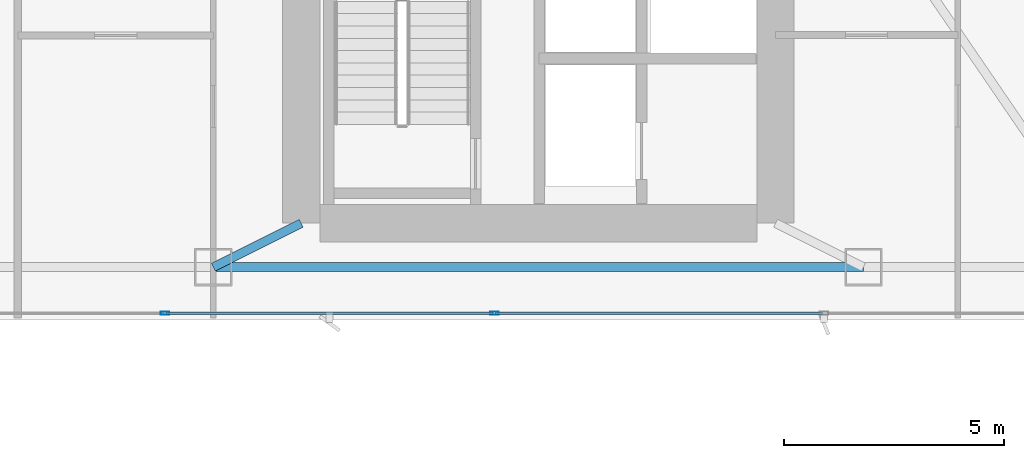
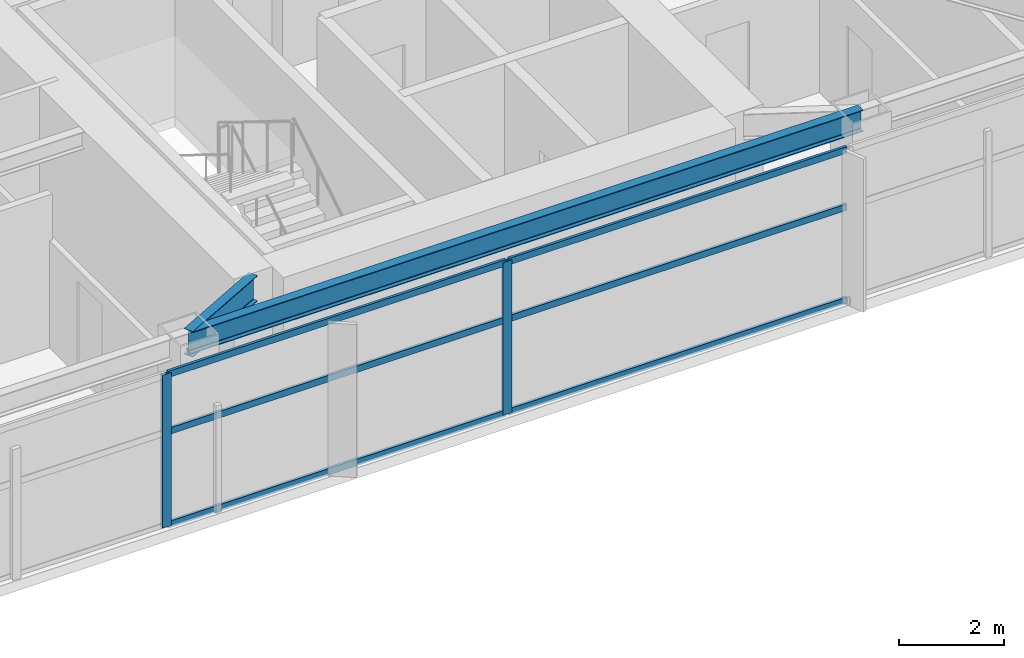
# One storey, part 6 of 29: 8 members, 2 beams, 1 element without a shape of its own.
"""IFC4 building model written with IfcOpenShell, lengths in metres."""

from ifc_helpers import new_model, si_unit, direction, frame, origin, origin_2d, place, context, subcontext, project, spatial, hollow_rectangle, i_section, extrude, material, layer, layer_set, material_profile, profile_set, type_object, element, aggregate, save


model = new_model("IFC4")

# Units and contexts
model_context = context("Model", 3, precision=1e-05, world=origin(), true_north=direction((0.0, 1.0)))
body_context = subcontext(model_context, "Body", "Model", "MODEL_VIEW")
ifc_project = project(units=[si_unit("LENGTHUNIT", "METRE"), si_unit("AREAUNIT", "SQUARE_METRE"), si_unit("VOLUMEUNIT", "CUBIC_METRE"), si_unit("PLANEANGLEUNIT", "RADIAN"), si_unit("MASSUNIT", "GRAM", prefix="KILO")], contexts=[model_context])

# Site, building, storey
site_placement = place(None, origin())
site = spatial("IfcSite", under=ifc_project, at=site_placement, CompositionType="ELEMENT")
building_placement = place(site_placement, origin())
building = spatial("IfcBuilding", under=site, at=building_placement, Name="Calvorn Quay Hotel", CompositionType="ELEMENT")
storey_placement = place(building_placement, frame((0.0, 0.0, 175.10009765625)))
storey = spatial("IfcBuildingStorey", under=building, at=storey_placement, Name="L43", CompositionType="ELEMENT", Elevation=175.10009765625)

# Beams
ifc_material_1 = material(Name="Steel Q355B", Category="steel")
ifc_material_profile_1 = material_profile(ifc_material_1, i_section(OverallWidth=0.199951171875, OverallDepth=0.60009765625, WebThickness=0.010986328125, FlangeThickness=0.01708984375, FilletRadius=0.01806640625, at=origin_2d()), Name="HN600x200x11x17")
ifc_profile_set_1 = profile_set([ifc_material_profile_1], Name="Steel Q355B")
beam_type_1 = type_object("IfcBeamType", Name="BM-GIRD-TYP", PredefinedType="BEAM", material=ifc_profile_set_1)
beam_1_placement = place(storey_placement, frame((19.60009765625, 3.60009765625, 3.239990234375), z_axis=(0.894427191, 0.4472135955, 0.0), x_axis=(-0.4472135955, 0.894427191, 0.0)))
element("IfcBeam", 1, at=beam_1_placement, inside=storey, type_object=beam_type_1, Name="Beam BG-L43-S2", PredefinedType="BEAM", context=body_context, shape_type="SweptSolid", body=[
    extrude(i_section(OverallWidth=0.199951171875, OverallDepth=0.60009765625, WebThickness=0.010986328125, FlangeThickness=0.01708984375, FilletRadius=0.01806640625, at=origin_2d()), origin(), (0.0, 0.0, 1.0), 2.236083984375),
])
ifc_material_2 = material(Name="Steel Q355B", Category="steel")
ifc_material_profile_2 = material_profile(ifc_material_2, i_section(OverallWidth=0.199951171875, OverallDepth=0.5, WebThickness=0.010009765625, FlangeThickness=0.01611328125, FilletRadius=0.01611328125, at=origin_2d()), Name="HN500x200x10x16")
ifc_profile_set_2 = profile_set([ifc_material_profile_2], Name="Steel Q355B")
beam_type_2 = type_object("IfcBeamType", Name="BM-SPANDREL-Z1", PredefinedType="SPANDREL", material=ifc_profile_set_2)
beam_2_placement = place(storey_placement, frame((19.60009765625, 3.60009765625, 3.289794921875), z_axis=(1.0, 0.0, 0.0), x_axis=(0.0, 1.0, 0.0)))
element("IfcBeam", 2, at=beam_2_placement, inside=storey, type_object=beam_type_2, Name="Beam BSP-L43-S3", PredefinedType="SPANDREL", context=body_context, shape_type="SweptSolid", body=[
    extrude(i_section(OverallWidth=0.199951171875, OverallDepth=0.5, WebThickness=0.010009765625, FlangeThickness=0.01611328125, FilletRadius=0.01611328125, at=origin_2d()), origin(), (0.0, 0.0, 1.0), 14.7998046875),
])

# Curtain wall, members
ifc_material_3 = material(Name="Pale Anodised Aluminium and Low-E Glass", Category="aluminium")
ifc_layer = layer(ifc_material_3, 0.219970703125)
ifc_layer_set = layer_set([ifc_layer], Name="CW-SYS-Z2")
curtain_wall_type = type_object("IfcCurtainWallType", Name="CW-SYS-Z2", PredefinedType="NOTDEFINED", material=ifc_layer_set)
curtain_wall_placement = place(storey_placement, origin())
curtain_wall = element("IfcCurtainWall", 3, at=curtain_wall_placement, inside=storey, type_object=curtain_wall_type, Name="Tower South Waterfront Curtain Wall (L43)", PredefinedType="NOTDEFINED")
ifc_material_4 = material(Name="Pale Anodised Aluminium 6063-T6", Category="aluminium")
ifc_material_profile_3 = material_profile(ifc_material_4, hollow_rectangle(XDim=0.070068359375, YDim=0.199951171875, WallThickness=0.00390625, at=origin_2d()), Name="ALU-M200x70x4")
ifc_profile_set_3 = profile_set([ifc_material_profile_3], Name="Pale Anodised Aluminium 6063-T6")
member_type_1 = type_object("IfcMemberType", Name="CW-SYS-Z2-MUL", PredefinedType="MULLION", material=ifc_profile_set_3)
member_1_placement = place(storey_placement, frame((18.5, 2.550048828125, 0.0), z_axis=(0.0, 0.0, 1.0), x_axis=(0.0, 1.0, 0.0)))
member_1 = element("IfcMember", 4, at=member_1_placement, type_object=member_type_1, Name="CW-L43-S mullion 2", PredefinedType="MULLION", context=body_context, shape_type="SweptSolid", body=[
    extrude(hollow_rectangle(XDim=0.070068359375, YDim=0.199951171875, WallThickness=0.00390625, at=origin_2d()), origin(), (0.0, 0.0, 1.0), 3.559814453125),
])
member_2_placement = place(storey_placement, frame((26.0, 2.550048828125, 0.0), z_axis=(0.0, 0.0, 1.0), x_axis=(0.0, 1.0, 0.0)))
member_2 = element("IfcMember", 5, at=member_2_placement, type_object=member_type_1, Name="CW-L43-S mullion 3", PredefinedType="MULLION", context=body_context, shape_type="SweptSolid", body=[
    extrude(hollow_rectangle(XDim=0.070068359375, YDim=0.199951171875, WallThickness=0.00390625, at=origin_2d()), origin(), (0.0, 0.0, 1.0), 3.559814453125),
])
ifc_material_5 = material(Name="Pale Anodised Aluminium 6063-T6", Category="aluminium")
ifc_material_profile_4 = material_profile(ifc_material_5, hollow_rectangle(XDim=0.06005859375, YDim=0.14990234375, WallThickness=0.00341796875, at=origin_2d()), Name="ALU-T150x60x3.5")
ifc_profile_set_4 = profile_set([ifc_material_profile_4], Name="Pale Anodised Aluminium 6063-T6")
member_type_2 = type_object("IfcMemberType", Name="CW-SYS-Z2-TRN", PredefinedType="USERDEFINED", material=ifc_profile_set_4)
member_3_placement = place(storey_placement, frame((18.530029296875, 2.550048828125, 0.02978515625), z_axis=(1.0, 0.0, 0.0), x_axis=(0.0, 1.0, 0.0)))
member_3 = element("IfcMember", 6, at=member_3_placement, type_object=member_type_2, Name="CW-L43-S transom 2.1", ObjectType="TRANSOM", PredefinedType="USERDEFINED", context=body_context, shape_type="SweptSolid", body=[
    extrude(hollow_rectangle(XDim=0.06005859375, YDim=0.14990234375, WallThickness=0.00341796875, at=origin_2d()), origin(), (0.0, 0.0, 1.0), 7.43994140625),
])
member_4_placement = place(storey_placement, frame((18.530029296875, 2.550048828125, 2.199951171875), z_axis=(1.0, 0.0, 0.0), x_axis=(0.0, 1.0, 0.0)))
member_4 = element("IfcMember", 7, at=member_4_placement, type_object=member_type_2, Name="CW-L43-S transom 2.2", ObjectType="TRANSOM", PredefinedType="USERDEFINED", context=body_context, shape_type="SweptSolid", body=[
    extrude(hollow_rectangle(XDim=0.06005859375, YDim=0.14990234375, WallThickness=0.00341796875, at=origin_2d()), origin(), (0.0, 0.0, 1.0), 7.43994140625),
])
member_5_placement = place(storey_placement, frame((18.530029296875, 2.550048828125, 3.52978515625), z_axis=(1.0, 0.0, 0.0), x_axis=(0.0, 1.0, 0.0)))
member_5 = element("IfcMember", 8, at=member_5_placement, type_object=member_type_2, Name="CW-L43-S transom 2.3", ObjectType="TRANSOM", PredefinedType="USERDEFINED", context=body_context, shape_type="SweptSolid", body=[
    extrude(hollow_rectangle(XDim=0.06005859375, YDim=0.14990234375, WallThickness=0.00341796875, at=origin_2d()), origin(), (0.0, 0.0, 1.0), 7.43994140625),
])
member_6_placement = place(storey_placement, frame((26.030029296875, 2.550048828125, 0.02978515625), z_axis=(1.0, 0.0, 0.0), x_axis=(0.0, 1.0, 0.0)))
member_6 = element("IfcMember", 9, at=member_6_placement, type_object=member_type_2, Name="CW-L43-S transom 3.1", ObjectType="TRANSOM", PredefinedType="USERDEFINED", context=body_context, shape_type="SweptSolid", body=[
    extrude(hollow_rectangle(XDim=0.06005859375, YDim=0.14990234375, WallThickness=0.00341796875, at=origin_2d()), origin(), (0.0, 0.0, 1.0), 7.43994140625),
])
member_7_placement = place(storey_placement, frame((26.030029296875, 2.550048828125, 2.199951171875), z_axis=(1.0, 0.0, 0.0), x_axis=(0.0, 1.0, 0.0)))
member_7 = element("IfcMember", 10, at=member_7_placement, type_object=member_type_2, Name="CW-L43-S transom 3.2", ObjectType="TRANSOM", PredefinedType="USERDEFINED", context=body_context, shape_type="SweptSolid", body=[
    extrude(hollow_rectangle(XDim=0.06005859375, YDim=0.14990234375, WallThickness=0.00341796875, at=origin_2d()), origin(), (0.0, 0.0, 1.0), 7.43994140625),
])
member_8_placement = place(storey_placement, frame((26.030029296875, 2.550048828125, 3.52978515625), z_axis=(1.0, 0.0, 0.0), x_axis=(0.0, 1.0, 0.0)))
member_8 = element("IfcMember", 11, at=member_8_placement, type_object=member_type_2, Name="CW-L43-S transom 3.3", ObjectType="TRANSOM", PredefinedType="USERDEFINED", context=body_context, shape_type="SweptSolid", body=[
    extrude(hollow_rectangle(XDim=0.06005859375, YDim=0.14990234375, WallThickness=0.00341796875, at=origin_2d()), origin(), (0.0, 0.0, 1.0), 7.43994140625),
])
aggregate(curtain_wall, [member_1, member_2, member_3, member_4, member_5, member_6, member_7, member_8])

save(model, "model.ifc")
